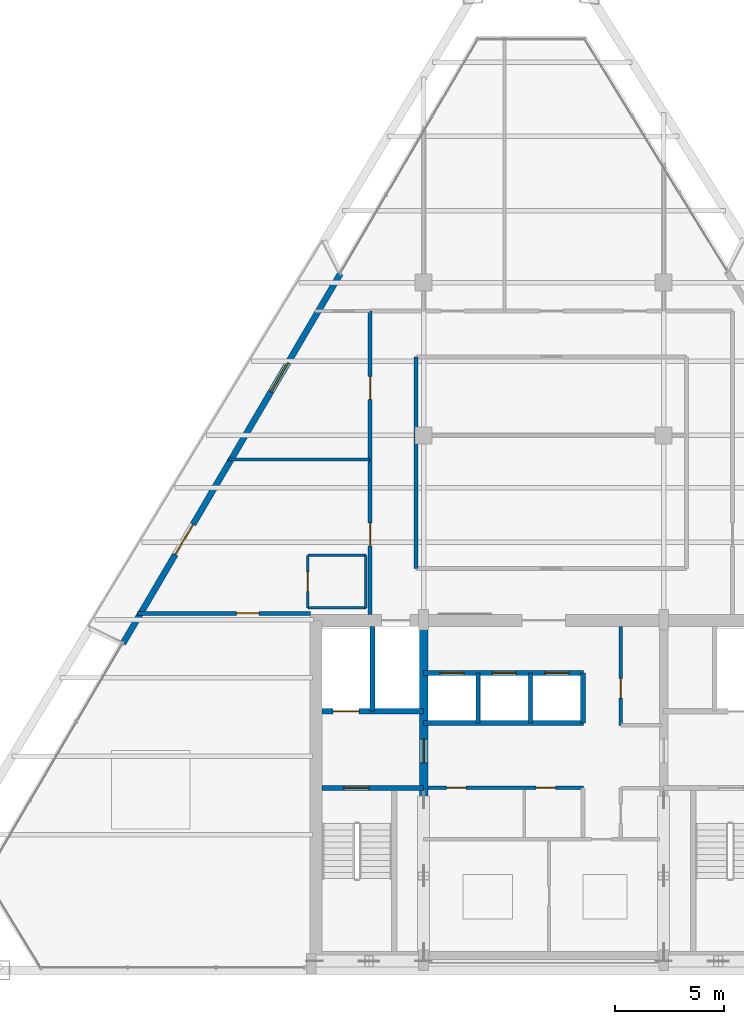
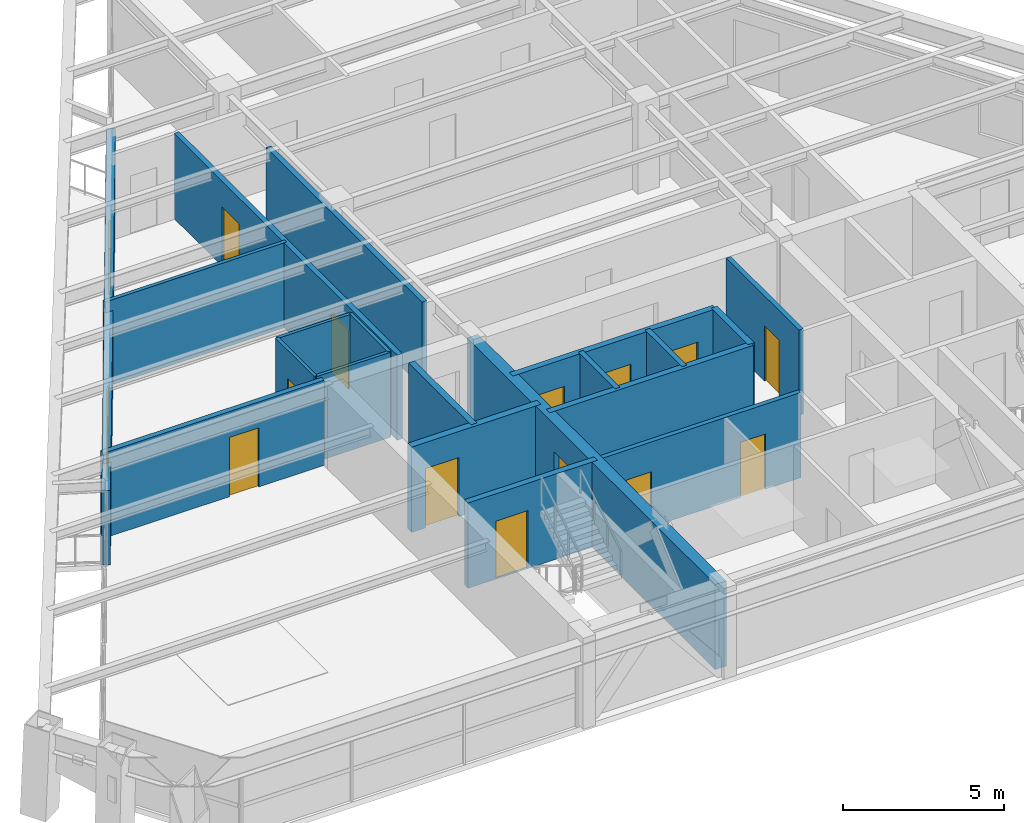
# One storey, part 9 of 13: 20 walls, 14 doors, 1 window, 15 openings.
"""IFC4 building model written with IfcOpenShell, lengths in metres."""

from ifc_helpers import new_model, si_unit, direction, frame, frame_2d, origin, place, context, subcontext, project, spatial, rectangle, extrude, source, transform, mapped, material, layer, layer_set, type_object, type_shapes, element, fill, save


model = new_model("IFC4")

# Units and contexts
model_context = context("Model", 3, precision=1e-05, world=origin(), true_north=direction((0.0, 1.0)))
body_context = subcontext(model_context, "Body", "Model", "MODEL_VIEW")
ifc_project = project(units=[si_unit("LENGTHUNIT", "METRE"), si_unit("AREAUNIT", "SQUARE_METRE"), si_unit("VOLUMEUNIT", "CUBIC_METRE"), si_unit("PLANEANGLEUNIT", "RADIAN"), si_unit("MASSUNIT", "GRAM", prefix="KILO")], contexts=[model_context])

# Site, building, storey
site_placement = place(None, origin())
site = spatial("IfcSite", under=ifc_project, at=site_placement, CompositionType="ELEMENT")
building_placement = place(site_placement, origin())
building = spatial("IfcBuilding", under=site, at=building_placement, Name="Varnakhor Terracotta Tower", CompositionType="ELEMENT")
storey_placement = place(building_placement, frame((0.0, 0.0, 244.14990234375)))
storey = spatial("IfcBuildingStorey", under=building, at=storey_placement, Name="L63", CompositionType="ELEMENT", Elevation=244.14990234375)

# Walls
ifc_material_1 = material(Name="Moisture-Resistant Tile-Backed Partition", Category="gypsum")
ifc_layer_1 = layer(ifc_material_1, 0.114990234375, Name="Moisture-Resistant Tile-Backed Partition")
ifc_layer_set_1 = layer_set([ifc_layer_1], Name="Moisture-Resistant Tile-Backed Partition")
wall_type_1 = type_object("IfcWallType", Name="WAL-BATH-115", PredefinedType="PARTITIONING", material=ifc_layer_set_1)
for number, where, z_axis, x_axis, name in (
    (1, (-10.800048828125, 16.60009765625, 0.0), (0.0, 0.0, 1.0), (1.0, 0.0, 0.0), "L63 En-Suite 1 Wall S"),
    (2, (-10.800048828125, 19.0, 0.0), (0.0, 0.0, 1.0), (1.0, 0.0, 0.0), "L63 En-Suite 1 Wall N"),
):
    element("IfcWall", number, at=place(storey_placement, frame(where, z_axis=z_axis, x_axis=x_axis)), inside=storey, type_object=wall_type_1, Name=name, PredefinedType="PARTITIONING", context=body_context, shape_type="SweptSolid", body=[
        extrude(rectangle(XDim=2.650146484375, YDim=0.114990234375, at=frame_2d((1.3251953125, 0.0))), origin(), (0.0, 0.0, 1.0), 3.232177734375),
    ])

# Wall, opening, door
wall_1_placement = place(storey_placement, frame((-10.800048828125, 16.60009765625, 0.0), z_axis=(0.0, 0.0, 1.0), x_axis=(0.0, 1.0, 0.0)))
wall_1 = element("IfcWall", 3, at=wall_1_placement, inside=storey, type_object=wall_type_1, Name="L63 En-Suite 1 Wall W", PredefinedType="PARTITIONING", context=body_context, shape_type="SweptSolid", body=[
    extrude(rectangle(XDim=2.39990234375, YDim=0.114990234375, at=frame_2d((1.199951171875, 0.0))), origin(), (0.0, 0.0, 1.0), 3.232177734375),
])
opening_1_placement = place(wall_1_placement, frame((0.75, 0.0, 0.0)))
opening_1 = element("IfcOpeningElement", 4, at=opening_1_placement, cuts=wall_1, Name="Opening DR-93", PredefinedType="OPENING", context=body_context, shape_type="SweptSolid", body=[
    extrude(rectangle(XDim=0.89990234375, YDim=2.14990234375, at=frame_2d((0.449951171875, 1.074951171875))), frame((0.0, 0.0673828125, 0.0), z_axis=(0.0, -1.0, 0.0), x_axis=(1.0, 0.0, 0.0)), (0.0, 0.0, 1.0), 0.135009765625),
])
ifc_material_2 = material(Name="Moisture-Resistant Accessible Bathroom Door", Category="wood")
door_type_1 = type_object("IfcDoorType", Name="DR-BATH-900X2150", OperationType="NOTDEFINED", PredefinedType="DOOR", material=ifc_material_2)
shared_shape_1 = source(origin(), body_context, "Body", "SweptSolid", [
    extrude(rectangle(XDim=0.89990234375, YDim=2.14990234375, at=frame_2d((0.449951171875, 1.074951171875))), frame((0.0, 0.02490234375, 0.0), z_axis=(0.0, -1.0, 0.0), x_axis=(1.0, 0.0, 0.0)), (0.0, 0.0, 1.0), 0.050048828125),
])
type_shapes(door_type_1, [shared_shape_1])
door_1_placement = place(opening_1_placement, origin())
door_1 = element("IfcDoor", 5, at=door_1_placement, inside=storey, type_object=door_type_1, Name="L63 En-Suite Bathroom 1 Door", OperationType="SINGLE_SWING_RIGHT", OverallHeight=2.14990234375, OverallWidth=0.89990234375, PredefinedType="DOOR", context=body_context, shape_type="MappedRepresentation", body=[
    mapped(shared_shape_1, transform((0.0, 0.0, 0.0), scale=1.0)),
])
fill(opening_1, door_1)

# Wall
wall_2_placement = place(storey_placement, frame((-8.14990234375, 16.60009765625, 0.0), z_axis=(0.0, 0.0, 1.0), x_axis=(0.0, 1.0, 0.0)))
element("IfcWall", 6, at=wall_2_placement, inside=storey, type_object=wall_type_1, Name="L63 En-Suite 1 Wall E", PredefinedType="PARTITIONING", context=body_context, shape_type="SweptSolid", body=[
    extrude(rectangle(XDim=2.39990234375, YDim=0.114990234375, at=frame_2d((1.199951171875, 0.0))), origin(), (0.0, 0.0, 1.0), 3.232177734375),
])

# Wall, opening, door
ifc_material_3 = material(Name="Concrete C50/60", Category="concrete")
ifc_layer_2 = layer(ifc_material_3, 0.39990234375, Name="Concrete C50/60")
ifc_layer_set_2 = layer_set([ifc_layer_2], Name="Concrete C50/60")
wall_type_2 = type_object("IfcWallType", Name="WAL-CORE-WEB-400", PredefinedType="SHEAR", material=ifc_layer_set_2)
wall_3_placement = place(storey_placement, frame((-5.5, 0.574951171875, 0.0), z_axis=(0.0, 0.0, 1.0), x_axis=(0.0, 1.0, 0.0)))
wall_3 = element("IfcWall", 7, at=wall_3_placement, inside=storey, type_object=wall_type_2, Name="L63 West Core Web Shear Wall", PredefinedType="SHEAR", context=body_context, shape_type="SweptSolid", body=[
    extrude(rectangle(XDim=15.449951171875, YDim=0.39990234375, at=frame_2d((7.72509765625, 0.0))), origin(), (0.0, 0.0, 1.0), 3.239990234375),
])
opening_2_placement = place(wall_3_placement, frame((8.925048828125, 0.0, 0.0)))
opening_2 = element("IfcOpeningElement", 8, at=opening_2_placement, cuts=wall_3, Name="Opening DR-25", PredefinedType="OPENING", context=body_context, shape_type="SweptSolid", body=[
    extrude(rectangle(XDim=1.10009765625, YDim=2.199951171875, at=frame_2d((0.550048828125, 1.10009765625))), frame((0.0, 0.2099609375, 0.0), z_axis=(0.0, -1.0, 0.0), x_axis=(1.0, 0.0, 0.0)), (0.0, 0.0, 1.0), 0.419921875),
])
ifc_material_4 = material(Name="Firefighting Lobby Self-Closing Fire Door", Category="steel")
door_type_2 = type_object("IfcDoorType", Name="DR-FFL-1100X2200", OperationType="NOTDEFINED", PredefinedType="DOOR", material=ifc_material_4)
shared_shape_2 = source(origin(), body_context, "Body", "SweptSolid", [
    extrude(rectangle(XDim=1.10009765625, YDim=2.199951171875, at=frame_2d((0.550048828125, 1.10009765625))), frame((0.0, 0.02490234375, 0.0), z_axis=(0.0, -1.0, 0.0), x_axis=(1.0, 0.0, 0.0)), (0.0, 0.0, 1.0), 0.050048828125),
])
type_shapes(door_type_2, [shared_shape_2])
door_2_placement = place(opening_2_placement, origin())
door_2 = element("IfcDoor", 9, at=door_2_placement, inside=storey, type_object=door_type_2, Name="L63 West Firefighting Lobby Door", OperationType="SINGLE_SWING_LEFT", OverallHeight=2.199951171875, OverallWidth=1.10009765625, PredefinedType="DOOR", context=body_context, shape_type="MappedRepresentation", body=[
    mapped(shared_shape_2, transform((0.0, 0.0, 0.0), scale=1.0)),
])
fill(opening_2, door_2)

# Wall
ifc_material_5 = material(Name="Fire-Rated Gypsum Stud Partition", Category="gypsum")
ifc_layer_3 = layer(ifc_material_5, 0.18505859375, Name="Fire-Rated Gypsum Stud Partition")
ifc_layer_set_3 = layer_set([ifc_layer_3], Name="Fire-Rated Gypsum Stud Partition")
wall_type_3 = type_object("IfcWallType", Name="WAL-CORR-185", PredefinedType="PARTITIONING", material=ifc_layer_set_3)
wall_4_placement = place(storey_placement, frame((-5.85009765625, 18.39990234375, 0.0), z_axis=(0.0, 0.0, 1.0), x_axis=(0.0, 1.0, 0.0)))
element("IfcWall", 10, at=wall_4_placement, inside=storey, type_object=wall_type_3, Name="L63 Ring Inner West Wall", PredefinedType="PARTITIONING", context=body_context, shape_type="SweptSolid", body=[
    extrude(rectangle(XDim=9.7001953125, YDim=0.18505859375, at=frame_2d((4.85009765625, 0.0))), origin(), (0.0, 0.0, 1.0), 3.232177734375),
])

# Wall, openings, doors
wall_5_placement = place(storey_placement, frame((-7.949951171875, 16.300048828125, 0.0), z_axis=(0.0, 0.0, 1.0), x_axis=(0.0, 1.0, 0.0)))
wall_5 = element("IfcWall", 11, at=wall_5_placement, inside=storey, type_object=wall_type_3, Name="L63 Hotel West Corridor Wall", PredefinedType="PARTITIONING", context=body_context, shape_type="SweptSolid", body=[
    extrude(rectangle(XDim=13.89990234375, YDim=0.18505859375, at=frame_2d((6.949951171875, 0.0))), origin(), (0.0, 0.0, 1.0), 3.232177734375),
])
opening_3_placement = place(wall_5_placement, frame((3.143798828125, 0.0, 0.0)))
opening_3 = element("IfcOpeningElement", 12, at=opening_3_placement, cuts=wall_5, Name="Opening DR-95", PredefinedType="OPENING", context=body_context, shape_type="SweptSolid", body=[
    extrude(rectangle(XDim=1.050048828125, YDim=2.25, at=frame_2d((0.52490234375, 1.125))), frame((0.0, 0.1025390625, 0.0), z_axis=(0.0, -1.0, 0.0), x_axis=(1.0, 0.0, 0.0)), (0.0, 0.0, 1.0), 0.205078125),
])
opening_4_placement = place(wall_5_placement, frame((9.848876953125, 0.0, 0.0)))
opening_4 = element("IfcOpeningElement", 13, at=opening_4_placement, cuts=wall_5, Name="Opening DR-95", PredefinedType="OPENING", context=body_context, shape_type="SweptSolid", body=[
    extrude(rectangle(XDim=1.050048828125, YDim=2.25, at=frame_2d((0.52490234375, 1.125))), frame((0.0, 0.1025390625, 0.0), z_axis=(0.0, -1.0, 0.0), x_axis=(1.0, 0.0, 0.0)), (0.0, 0.0, 1.0), 0.205078125),
])
ifc_material_6 = material(Name="Solid-Core Timber Tenant/Hotel Entrance Door", Category="wood")
door_type_3 = type_object("IfcDoorType", Name="DR-SUITE-1050X2250", OperationType="NOTDEFINED", PredefinedType="DOOR", material=ifc_material_6)
shared_shape_3 = source(origin(), body_context, "Body", "SweptSolid", [
    extrude(rectangle(XDim=1.050048828125, YDim=2.25, at=frame_2d((0.52490234375, 1.125))), frame((0.0, 0.02490234375, 0.0), z_axis=(0.0, -1.0, 0.0), x_axis=(1.0, 0.0, 0.0)), (0.0, 0.0, 1.0), 0.050048828125),
])
type_shapes(door_type_3, [shared_shape_3])
door_3_placement = place(opening_3_placement, origin())
door_3 = element("IfcDoor", 14, at=door_3_placement, inside=storey, type_object=door_type_3, Name="L63 West Room 1 Entry Door", OperationType="SINGLE_SWING_LEFT", OverallHeight=2.25, OverallWidth=1.050048828125, PredefinedType="DOOR", context=body_context, shape_type="MappedRepresentation", body=[
    mapped(shared_shape_3, transform((0.0, 0.0, 0.0), scale=1.0)),
])
fill(opening_3, door_3)
door_4_placement = place(opening_4_placement, origin())
door_4 = element("IfcDoor", 15, at=door_4_placement, inside=storey, type_object=door_type_3, Name="L63 West Room 2 Entry Door", OperationType="SINGLE_SWING_LEFT", OverallHeight=2.25, OverallWidth=1.050048828125, PredefinedType="DOOR", context=body_context, shape_type="MappedRepresentation", body=[
    mapped(shared_shape_3, transform((0.0, 0.0, 0.0), scale=1.0)),
])
fill(opening_4, door_4)

# Wall, opening, door
wall_6_placement = place(storey_placement, frame((-18.610595703125, 16.35009765625, 0.0), z_axis=(0.0, 0.0, 1.0), x_axis=(1.0, 0.0, 0.0)))
wall_6 = element("IfcWall", 16, at=wall_6_placement, inside=storey, type_object=wall_type_3, Name="L63 South West Guest Entry Wall", PredefinedType="PARTITIONING", context=body_context, shape_type="SweptSolid", body=[
    extrude(rectangle(XDim=7.9306640625, YDim=0.18505859375, at=frame_2d((3.96533203125, 0.0))), origin(), (0.0, 0.0, 1.0), 3.232177734375),
])
opening_5_placement = place(wall_6_placement, frame((4.52783203125, 0.0, 0.0)))
opening_5 = element("IfcOpeningElement", 17, at=opening_5_placement, cuts=wall_6, Name="Opening DR-95", PredefinedType="OPENING", context=body_context, shape_type="SweptSolid", body=[
    extrude(rectangle(XDim=1.050048828125, YDim=2.25, at=frame_2d((0.52490234375, 1.125))), frame((0.0, 0.1025390625, 0.0), z_axis=(0.0, -1.0, 0.0), x_axis=(1.0, 0.0, 0.0)), (0.0, 0.0, 1.0), 0.205078125),
])
door_5_placement = place(opening_5_placement, origin())
door_5 = element("IfcDoor", 18, at=door_5_placement, inside=storey, type_object=door_type_3, Name="L63 SW Suite Entry Door", OperationType="SINGLE_SWING_RIGHT", OverallHeight=2.25, OverallWidth=1.050048828125, PredefinedType="DOOR", context=body_context, shape_type="MappedRepresentation", body=[
    mapped(shared_shape_3, transform((0.0, 0.0, 0.0), scale=1.0)),
])
fill(opening_5, door_5)

# Wall, openings, door, window
ifc_material_7 = material(Name="Extruded Architectural Terracotta Assembly", Category="masonry")
ifc_layer_4 = layer(ifc_material_7, 0.280029296875, Name="Extruded Architectural Terracotta Assembly")
ifc_layer_set_4 = layer_set([ifc_layer_4], Name="Extruded Architectural Terracotta Assembly")
wall_type_4 = type_object("IfcWallType", Name="WAL-EXT-TERRACOTTA-280", PredefinedType="SOLIDWALL", material=ifc_layer_set_4)
wall_7_placement = place(storey_placement, frame((-19.267822265625, 14.9755859375, 0.0), z_axis=(0.0, 0.0, 1.0), x_axis=(0.506767667108, 0.862082670963, 0.0)))
wall_7 = element("IfcWall", 19, at=wall_7_placement, inside=storey, type_object=wall_type_4, Name="L63 W Loggia Insulated Terracotta Wall", PredefinedType="SOLIDWALL", context=body_context, shape_type="SweptSolid", body=[
    extrude(rectangle(XDim=19.6533203125, YDim=0.280029296875, at=frame_2d((9.82666015625, 0.0))), origin(), (0.0, 0.0, 1.0), 2.820068359375),
])
opening_6_placement = place(wall_7_placement, frame((4.716796875, 0.0, 0.0)))
opening_6 = element("IfcOpeningElement", 20, at=opening_6_placement, cuts=wall_7, Name="Opening DR-62", PredefinedType="OPENING", context=body_context, shape_type="SweptSolid", body=[
    extrude(rectangle(XDim=1.60009765625, YDim=2.35009765625, at=frame_2d((0.800048828125, 1.175048828125))), frame((0.0, 0.14990234375, 0.0), z_axis=(0.0, -1.0, 0.0), x_axis=(1.0, 0.0, 0.0)), (0.0, 0.0, 1.0), 0.300048828125),
])
opening_7_placement = place(wall_7_placement, frame((13.364501953125, 0.0, 0.89990234375)))
opening_7 = element("IfcOpeningElement", 21, at=opening_7_placement, cuts=wall_7, Name="Opening WN-59", PredefinedType="OPENING", context=body_context, shape_type="SweptSolid", body=[
    extrude(rectangle(XDim=1.550048828125, YDim=1.75, at=frame_2d((0.77490234375, 0.875))), frame((0.0, 0.14990234375, 0.0), z_axis=(0.0, -1.0, 0.0), x_axis=(1.0, 0.0, 0.0)), (0.0, 0.0, 1.0), 0.300048828125),
])
ifc_material_8 = material(Name="Thermally Broken Sliding Glass Loggia Door", Category="glass")
door_type_4 = type_object("IfcDoorType", Name="DR-EXT-LOGGIA-1600X2350", OperationType="NOTDEFINED", PredefinedType="DOOR", material=ifc_material_8)
shared_shape_4 = source(origin(), body_context, "Body", "SweptSolid", [
    extrude(rectangle(XDim=1.60009765625, YDim=2.35009765625, at=frame_2d((0.800048828125, 1.175048828125))), frame((0.0, 0.02490234375, 0.0), z_axis=(0.0, -1.0, 0.0), x_axis=(1.0, 0.0, 0.0)), (0.0, 0.0, 1.0), 0.050048828125),
])
type_shapes(door_type_4, [shared_shape_4])
door_6_placement = place(opening_6_placement, origin())
door_6 = element("IfcDoor", 22, at=door_6_placement, inside=storey, type_object=door_type_4, Name="L63 W Recessed Loggia Sliding Door", OperationType="SLIDING_TO_LEFT", OverallHeight=2.35009765625, OverallWidth=1.60009765625, PredefinedType="DOOR", context=body_context, shape_type="MappedRepresentation", body=[
    mapped(shared_shape_4, transform((0.0, 0.0, 0.0), scale=1.0)),
])
fill(opening_6, door_6)
ifc_material_9 = material(Name="Solar-Control Low-E Insulated Glass Unit", Category="glass")
window_type = type_object("IfcWindowType", Name="WIN-HTL-1500X1950", PartitioningType="SINGLE_PANEL", PredefinedType="WINDOW", material=ifc_material_9)
shared_shape_5 = source(origin(), body_context, "Body", "SweptSolid", [
    extrude(rectangle(XDim=1.550048828125, YDim=1.75, at=frame_2d((0.77490234375, 0.875))), frame((0.0, 0.030029296875, 0.0), z_axis=(0.0, -1.0, 0.0), x_axis=(1.0, 0.0, 0.0)), (0.0, 0.0, 1.0), 0.06005859375),
])
type_shapes(window_type, [shared_shape_5])
window_placement = place(opening_7_placement, origin())
window = element("IfcWindow", 23, at=window_placement, inside=storey, type_object=window_type, Name="L63 W Facet Punched Window", OverallHeight=1.75, OverallWidth=1.550048828125, PartitioningType="SINGLE_PANEL", PredefinedType="WINDOW", context=body_context, shape_type="MappedRepresentation", body=[
    mapped(shared_shape_5, transform((0.0, 0.0, 0.0), scale=1.0)),
])
fill(opening_7, window)

# Wall, opening, door
ifc_material_10 = material(Name="Concrete C40/50", Category="concrete")
ifc_layer_5 = layer(ifc_material_10, 0.219970703125, Name="Concrete C40/50")
ifc_layer_set_5 = layer_set([ifc_layer_5], Name="Concrete C40/50")
wall_type_5 = type_object("IfcWallType", Name="WAL-FFLOBBY-220", PredefinedType="SOLIDWALL", material=ifc_layer_set_5)
wall_8_placement = place(storey_placement, frame((-5.5, 8.35009765625, 0.0), z_axis=(0.0, 0.0, 1.0), x_axis=(-1.0, 0.0, 0.0)))
wall_8 = element("IfcWall", 24, at=wall_8_placement, inside=storey, type_object=wall_type_5, Name="L63 West Firefighting Lobby Stair Wall", PredefinedType="SOLIDWALL", context=body_context, shape_type="SweptSolid", body=[
    extrude(rectangle(XDim=4.64990234375, YDim=0.219970703125, at=frame_2d((2.324951171875, 0.0))), origin(), (0.0, 0.0, 1.0), 3.239990234375),
])
opening_8_placement = place(wall_8_placement, frame((2.5, 0.0, 0.0)))
opening_8 = element("IfcOpeningElement", 25, at=opening_8_placement, cuts=wall_8, Name="Opening DR-34", PredefinedType="OPENING", context=body_context, shape_type="SweptSolid", body=[
    extrude(rectangle(XDim=1.14990234375, YDim=2.199951171875, at=frame_2d((0.574951171875, 1.10009765625))), frame((0.0, 0.1201171875, 0.0), z_axis=(0.0, -1.0, 0.0), x_axis=(1.0, 0.0, 0.0)), (0.0, 0.0, 1.0), 0.239990234375),
])
ifc_material_11 = material(Name="Self-Closing Smoke-Sealed Steel Fire Door", Category="steel")
door_type_5 = type_object("IfcDoorType", Name="DR-STAIR-1150X2200", OperationType="NOTDEFINED", PredefinedType="DOOR", material=ifc_material_11)
shared_shape_6 = source(origin(), body_context, "Body", "SweptSolid", [
    extrude(rectangle(XDim=1.14990234375, YDim=2.199951171875, at=frame_2d((0.574951171875, 1.10009765625))), frame((0.0, 0.02490234375, 0.0), z_axis=(0.0, -1.0, 0.0), x_axis=(1.0, 0.0, 0.0)), (0.0, 0.0, 1.0), 0.050048828125),
])
type_shapes(door_type_5, [shared_shape_6])
door_7_placement = place(opening_8_placement, origin())
door_7 = element("IfcDoor", 26, at=door_7_placement, inside=storey, type_object=door_type_5, Name="L63 Exit Stair ST-1 Fire Door", OperationType="SINGLE_SWING_RIGHT", OverallHeight=2.199951171875, OverallWidth=1.14990234375, PredefinedType="DOOR", context=body_context, shape_type="MappedRepresentation", body=[
    mapped(shared_shape_6, transform((0.0, 0.0, 0.0), scale=1.0)),
])
fill(opening_8, door_7)

# Walls
ifc_material_12 = material(Name="Acoustic Hotel Room Partition", Category="gypsum")
ifc_layer_6 = layer(ifc_material_12, 0.1298828125, Name="Acoustic Hotel Room Partition")
ifc_layer_set_6 = layer_set([ifc_layer_6], Name="Acoustic Hotel Room Partition")
wall_type_6 = type_object("IfcWallType", Name="WAL-PART-130", PredefinedType="PARTITIONING", material=ifc_layer_set_6)
wall_9_placement = place(storey_placement, frame((-14.46630859375, 23.39990234375, 0.0), z_axis=(0.0, 0.0, 1.0), x_axis=(1.0, 0.0, 0.0)))
element("IfcWall", 27, at=wall_9_placement, inside=storey, type_object=wall_type_6, Name="L63 West Key Cut 1", PredefinedType="PARTITIONING", context=body_context, shape_type="SweptSolid", body=[
    extrude(rectangle(XDim=6.516357421875, YDim=0.1298828125, at=frame_2d((3.25830078125, 0.0))), origin(), (0.0, 0.0, 1.0), 3.232177734375),
])
ifc_layer_7 = layer(ifc_material_10, 0.179931640625, Name="Concrete C40/50")
ifc_layer_set_7 = layer_set([ifc_layer_7], Name="Concrete C40/50")
wall_type_7 = type_object("IfcWallType", Name="WAL-SHAFT-180", PredefinedType="SOLIDWALL", material=ifc_layer_set_7)
for number, where, z_axis, x_axis, name in (
    (28, (-3.0, 11.320068359375, 0.0), (0.0, 0.0, 1.0), (0.0, 1.0, 0.0), "L63 PL-3A Divider"),
    (29, (-0.60009765625, 11.320068359375, 0.0), (0.0, 0.0, 1.0), (0.0, 1.0, 0.0), "L63 PL-3B Divider"),
):
    element("IfcWall", number, at=place(storey_placement, frame(where, z_axis=z_axis, x_axis=x_axis)), inside=storey, type_object=wall_type_7, Name=name, PredefinedType="SOLIDWALL", context=body_context, shape_type="SweptSolid", body=[
        extrude(rectangle(XDim=2.300048828125, YDim=0.179931640625, at=frame_2d((1.14990234375, 0.0))), origin(), (0.0, 0.0, 1.0), 3.239990234375),
    ])
ifc_layer_8 = layer(ifc_material_10, 0.219970703125, Name="Concrete C40/50")
ifc_layer_set_8 = layer_set([ifc_layer_8], Name="Concrete C40/50")
wall_type_8 = type_object("IfcWallType", Name="WAL-SHAFT-220", PredefinedType="SOLIDWALL", material=ifc_layer_set_8)
wall_10_placement = place(storey_placement, frame((-7.840087890625, 11.8701171875, 0.0), z_axis=(0.0, 0.0, 1.0), x_axis=(0.0, 1.0, 0.0)))
element("IfcWall", 30, at=wall_10_placement, inside=storey, type_object=wall_type_8, Name="L63 Lift FFL-1 and SVL-1 Divider Wall", PredefinedType="SOLIDWALL", context=body_context, shape_type="SweptSolid", body=[
    extrude(rectangle(XDim=3.8798828125, YDim=0.219970703125, at=frame_2d((1.93994140625, 0.0))), origin(), (0.0, 0.0, 1.0), 3.239990234375),
])
wall_11_placement = place(storey_placement, frame((-5.5, 11.320068359375, 0.0), z_axis=(0.0, 0.0, 1.0), x_axis=(1.0, 0.0, 0.0)))
element("IfcWall", 31, at=wall_11_placement, inside=storey, type_object=wall_type_8, Name="L63 Bank 3 South Shaft Wall", PredefinedType="SOLIDWALL", context=body_context, shape_type="SweptSolid", body=[
    extrude(rectangle(XDim=7.320068359375, YDim=0.219970703125, at=frame_2d((3.66015625, 0.0))), origin(), (0.0, 0.0, 1.0), 3.239990234375),
])

# Wall, openings, doors
wall_12_placement = place(storey_placement, frame((-5.5, 13.6201171875, 0.0), z_axis=(0.0, 0.0, 1.0), x_axis=(1.0, 0.0, 0.0)))
wall_12 = element("IfcWall", 32, at=wall_12_placement, inside=storey, type_object=wall_type_8, Name="L63 Bank 3 North Shaft Wall", PredefinedType="SOLIDWALL", context=body_context, shape_type="SweptSolid", body=[
    extrude(rectangle(XDim=7.320068359375, YDim=0.219970703125, at=frame_2d((3.66015625, 0.0))), origin(), (0.0, 0.0, 1.0), 3.239990234375),
])
opening_9_placement = place(wall_12_placement, frame((0.75, 0.0, 0.0)))
opening_9 = element("IfcOpeningElement", 33, at=opening_9_placement, cuts=wall_12, Name="Opening LD-01", PredefinedType="OPENING", context=body_context, shape_type="SweptSolid", body=[
    extrude(rectangle(XDim=1.10009765625, YDim=2.199951171875, at=frame_2d((0.550048828125, 1.10009765625))), frame((0.0, 0.1201171875, 0.0), z_axis=(0.0, -1.0, 0.0), x_axis=(1.0, 0.0, 0.0)), (0.0, 0.0, 1.0), 0.239990234375),
])
opening_10_placement = place(wall_12_placement, frame((3.14990234375, 0.0, 0.0)))
opening_10 = element("IfcOpeningElement", 34, at=opening_10_placement, cuts=wall_12, Name="Opening LD-01", PredefinedType="OPENING", context=body_context, shape_type="SweptSolid", body=[
    extrude(rectangle(XDim=1.10009765625, YDim=2.199951171875, at=frame_2d((0.550048828125, 1.10009765625))), frame((0.0, 0.1201171875, 0.0), z_axis=(0.0, -1.0, 0.0), x_axis=(1.0, 0.0, 0.0)), (0.0, 0.0, 1.0), 0.239990234375),
])
opening_11_placement = place(wall_12_placement, frame((5.550048828125, 0.0, 0.0)))
opening_11 = element("IfcOpeningElement", 35, at=opening_11_placement, cuts=wall_12, Name="Opening LD-01", PredefinedType="OPENING", context=body_context, shape_type="SweptSolid", body=[
    extrude(rectangle(XDim=1.10009765625, YDim=2.199951171875, at=frame_2d((0.550048828125, 1.10009765625))), frame((0.0, 0.1201171875, 0.0), z_axis=(0.0, -1.0, 0.0), x_axis=(1.0, 0.0, 0.0)), (0.0, 0.0, 1.0), 0.239990234375),
])
ifc_material_13 = material(Name="Brushed Stainless Steel Sliding Lift Landing Door", Category="steel")
door_type_6 = type_object("IfcDoorType", Name="LD-PASS-1100X2200", OperationType="NOTDEFINED", PredefinedType="DOOR", material=ifc_material_13)
shared_shape_7 = source(origin(), body_context, "Body", "SweptSolid", [
    extrude(rectangle(XDim=1.10009765625, YDim=2.199951171875, at=frame_2d((0.550048828125, 1.10009765625))), frame((0.0, 0.02490234375, 0.0), z_axis=(0.0, -1.0, 0.0), x_axis=(1.0, 0.0, 0.0)), (0.0, 0.0, 1.0), 0.050048828125),
])
type_shapes(door_type_6, [shared_shape_7])
door_8_placement = place(opening_9_placement, origin())
door_8 = element("IfcDoor", 36, at=door_8_placement, inside=storey, type_object=door_type_6, Name="L63 Passenger Lift PL-3A Landing Door", OperationType="SLIDING_TO_RIGHT", OverallHeight=2.199951171875, OverallWidth=1.10009765625, PredefinedType="DOOR", context=body_context, shape_type="MappedRepresentation", body=[
    mapped(shared_shape_7, transform((0.0, 0.0, 0.0), scale=1.0)),
])
fill(opening_9, door_8)
door_9_placement = place(opening_10_placement, origin())
door_9 = element("IfcDoor", 37, at=door_9_placement, inside=storey, type_object=door_type_6, Name="L63 Passenger Lift PL-3B Landing Door", OperationType="SLIDING_TO_RIGHT", OverallHeight=2.199951171875, OverallWidth=1.10009765625, PredefinedType="DOOR", context=body_context, shape_type="MappedRepresentation", body=[
    mapped(shared_shape_7, transform((0.0, 0.0, 0.0), scale=1.0)),
])
fill(opening_10, door_9)
door_10_placement = place(opening_11_placement, origin())
door_10 = element("IfcDoor", 38, at=door_10_placement, inside=storey, type_object=door_type_6, Name="L63 Passenger Lift PL-3C Landing Door", OperationType="SLIDING_TO_RIGHT", OverallHeight=2.199951171875, OverallWidth=1.10009765625, PredefinedType="DOOR", context=body_context, shape_type="MappedRepresentation", body=[
    mapped(shared_shape_7, transform((0.0, 0.0, 0.0), scale=1.0)),
])
fill(opening_11, door_10)

# Wall
wall_13_placement = place(storey_placement, frame((1.800048828125, 11.320068359375, 0.0), z_axis=(0.0, 0.0, 1.0), x_axis=(0.0, 1.0, 0.0)))
element("IfcWall", 39, at=wall_13_placement, inside=storey, type_object=wall_type_8, Name="L63 Bank 3 East Shaft Wall", PredefinedType="SOLIDWALL", context=body_context, shape_type="SweptSolid", body=[
    extrude(rectangle(XDim=2.300048828125, YDim=0.219970703125, at=frame_2d((1.14990234375, 0.0))), origin(), (0.0, 0.0, 1.0), 3.239990234375),
])

# Wall, opening, door
ifc_layer_9 = layer(ifc_material_10, 0.25, Name="Concrete C40/50")
ifc_layer_set_9 = layer_set([ifc_layer_9], Name="Concrete C40/50")
wall_type_9 = type_object("IfcWallType", Name="WAL-SHAFT-250", PredefinedType="SOLIDWALL", material=ifc_layer_set_9)
wall_14_placement = place(storey_placement, frame((-5.5, 11.8701171875, 0.0), z_axis=(0.0, 0.0, 1.0), x_axis=(-1.0, 0.0, 0.0)))
wall_14 = element("IfcWall", 40, at=wall_14_placement, inside=storey, type_object=wall_type_9, Name="L63 Lift FFL-1 Shaft Front Wall", PredefinedType="SOLIDWALL", context=body_context, shape_type="SweptSolid", body=[
    extrude(rectangle(XDim=4.64990234375, YDim=0.25, at=frame_2d((2.324951171875, 0.0))), origin(), (0.0, 0.0, 1.0), 3.239990234375),
])
opening_12_placement = place(wall_14_placement, frame((2.949951171875, 0.0, 0.0)))
opening_12 = element("IfcOpeningElement", 41, at=opening_12_placement, cuts=wall_14, Name="Opening LD-02", PredefinedType="OPENING", context=body_context, shape_type="SweptSolid", body=[
    extrude(rectangle(XDim=1.199951171875, YDim=2.25, at=frame_2d((0.60009765625, 1.125))), frame((0.0, 0.135009765625, 0.0), z_axis=(0.0, -1.0, 0.0), x_axis=(1.0, 0.0, 0.0)), (0.0, 0.0, 1.0), 0.27001953125),
])
ifc_material_14 = material(Name="Firefighting Stretcher Sliding Lift Landing Door", Category="steel")
door_type_7 = type_object("IfcDoorType", Name="LD-FFL-1200X2250", OperationType="NOTDEFINED", PredefinedType="DOOR", material=ifc_material_14)
shared_shape_8 = source(origin(), body_context, "Body", "SweptSolid", [
    extrude(rectangle(XDim=1.199951171875, YDim=2.25, at=frame_2d((0.60009765625, 1.125))), frame((0.0, 0.02490234375, 0.0), z_axis=(0.0, -1.0, 0.0), x_axis=(1.0, 0.0, 0.0)), (0.0, 0.0, 1.0), 0.050048828125),
])
type_shapes(door_type_7, [shared_shape_8])
door_11_placement = place(opening_12_placement, origin())
door_11 = element("IfcDoor", 42, at=door_11_placement, inside=storey, type_object=door_type_7, Name="L63 Firefighting Lift FFL-1 Landing Door", OperationType="SLIDING_TO_LEFT", OverallHeight=2.25, OverallWidth=1.199951171875, PredefinedType="DOOR", context=body_context, shape_type="MappedRepresentation", body=[
    mapped(shared_shape_8, transform((0.0, 0.0, 0.0), scale=1.0)),
])
fill(opening_12, door_11)

# Wall, openings, doors
ifc_material_15 = material(Name="Acoustic Fire-Rated Partition", Category="gypsum")
ifc_layer_10 = layer(ifc_material_15, 0.1650390625, Name="Acoustic Fire-Rated Partition")
ifc_layer_set_10 = layer_set([ifc_layer_10], Name="Acoustic Fire-Rated Partition")
wall_type_10 = type_object("IfcWallType", Name="WAL-TENANCY-165", PredefinedType="PARTITIONING", material=ifc_layer_set_10)
wall_15_placement = place(storey_placement, frame((-5.300048828125, 8.35009765625, 0.0), z_axis=(0.0, 0.0, 1.0), x_axis=(1.0, 0.0, 0.0)))
wall_15 = element("IfcWall", 43, at=wall_15_placement, inside=storey, type_object=wall_type_10, Name="L63 Reclaimed Mid-Core North Wall", PredefinedType="PARTITIONING", context=body_context, shape_type="SweptSolid", body=[
    extrude(rectangle(XDim=7.1201171875, YDim=0.1650390625, at=frame_2d((3.56005859375, 0.0))), origin(), (0.0, 0.0, 1.0), 3.232177734375),
])
opening_13_placement = place(wall_15_placement, frame((0.85009765625, 0.0, 0.0)))
opening_13 = element("IfcOpeningElement", 44, at=opening_13_placement, cuts=wall_15, Name="Opening DR-67", PredefinedType="OPENING", context=body_context, shape_type="SweptSolid", body=[
    extrude(rectangle(XDim=0.89990234375, YDim=2.10009765625, at=frame_2d((0.449951171875, 1.050048828125))), frame((0.0, 0.092529296875, 0.0), z_axis=(0.0, -1.0, 0.0), x_axis=(1.0, 0.0, 0.0)), (0.0, 0.0, 1.0), 0.18505859375),
])
opening_14_placement = place(wall_15_placement, frame((4.949951171875, 0.0, 0.0)))
opening_14 = element("IfcOpeningElement", 45, at=opening_14_placement, cuts=wall_15, Name="Opening DR-67", PredefinedType="OPENING", context=body_context, shape_type="SweptSolid", body=[
    extrude(rectangle(XDim=0.89990234375, YDim=2.10009765625, at=frame_2d((0.449951171875, 1.050048828125))), frame((0.0, 0.092529296875, 0.0), z_axis=(0.0, -1.0, 0.0), x_axis=(1.0, 0.0, 0.0)), (0.0, 0.0, 1.0), 0.18505859375),
])
ifc_material_16 = material(Name="Steel Service Riser Fire Door", Category="steel")
door_type_8 = type_object("IfcDoorType", Name="DR-RISER-900X2100", OperationType="NOTDEFINED", PredefinedType="DOOR", material=ifc_material_16)
shared_shape_9 = source(origin(), body_context, "Body", "SweptSolid", [
    extrude(rectangle(XDim=0.89990234375, YDim=2.10009765625, at=frame_2d((0.449951171875, 1.050048828125))), frame((0.0, 0.02490234375, 0.0), z_axis=(0.0, -1.0, 0.0), x_axis=(1.0, 0.0, 0.0)), (0.0, 0.0, 1.0), 0.050048828125),
])
type_shapes(door_type_8, [shared_shape_9])
door_12_placement = place(opening_13_placement, origin())
door_12 = element("IfcDoor", 46, at=door_12_placement, inside=storey, type_object=door_type_8, Name="L63 Core West Restroom Door", OperationType="SINGLE_SWING_LEFT", OverallHeight=2.10009765625, OverallWidth=0.89990234375, PredefinedType="DOOR", context=body_context, shape_type="MappedRepresentation", body=[
    mapped(shared_shape_9, transform((0.0, 0.0, 0.0), scale=1.0)),
])
fill(opening_13, door_12)
door_13_placement = place(opening_14_placement, origin())
door_13 = element("IfcDoor", 47, at=door_13_placement, inside=storey, type_object=door_type_8, Name="L63 Core East Restroom Door", OperationType="SINGLE_SWING_RIGHT", OverallHeight=2.10009765625, OverallWidth=0.89990234375, PredefinedType="DOOR", context=body_context, shape_type="MappedRepresentation", body=[
    mapped(shared_shape_9, transform((0.0, 0.0, 0.0), scale=1.0)),
])
fill(opening_14, door_13)

# Wall, opening, door
wall_16_placement = place(storey_placement, frame((3.5400390625, 11.219970703125, 0.0), z_axis=(0.0, 0.0, 1.0), x_axis=(0.0, 1.0, 0.0)))
wall_16 = element("IfcWall", 48, at=wall_16_placement, inside=storey, type_object=wall_type_10, Name="L63 Restroom Corridor Wall", PredefinedType="PARTITIONING", context=body_context, shape_type="SweptSolid", body=[
    extrude(rectangle(XDim=4.530029296875, YDim=0.1650390625, at=frame_2d((2.26513671875, 0.0))), origin(), (0.0, 0.0, 1.0), 3.232177734375),
])
opening_15_placement = place(wall_16_placement, frame((1.25, 0.0, 0.0)))
opening_15 = element("IfcOpeningElement", 49, at=opening_15_placement, cuts=wall_16, Name="Opening DR-67", PredefinedType="OPENING", context=body_context, shape_type="SweptSolid", body=[
    extrude(rectangle(XDim=0.89990234375, YDim=2.10009765625, at=frame_2d((0.449951171875, 1.050048828125))), frame((0.0, 0.092529296875, 0.0), z_axis=(0.0, -1.0, 0.0), x_axis=(1.0, 0.0, 0.0)), (0.0, 0.0, 1.0), 0.18505859375),
])
door_14_placement = place(opening_15_placement, origin())
door_14 = element("IfcDoor", 50, at=door_14_placement, inside=storey, type_object=door_type_8, Name="L63 Female WC Door", OperationType="SINGLE_SWING_LEFT", OverallHeight=2.10009765625, OverallWidth=0.89990234375, PredefinedType="DOOR", context=body_context, shape_type="MappedRepresentation", body=[
    mapped(shared_shape_9, transform((0.0, 0.0, 0.0), scale=1.0)),
])
fill(opening_15, door_14)

save(model, "model.ifc")
